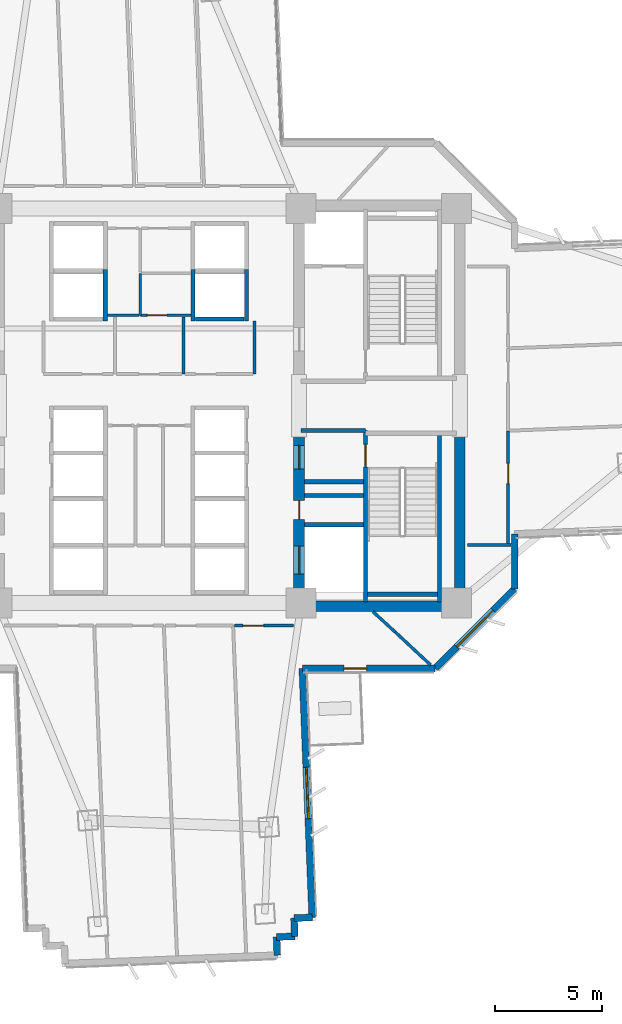
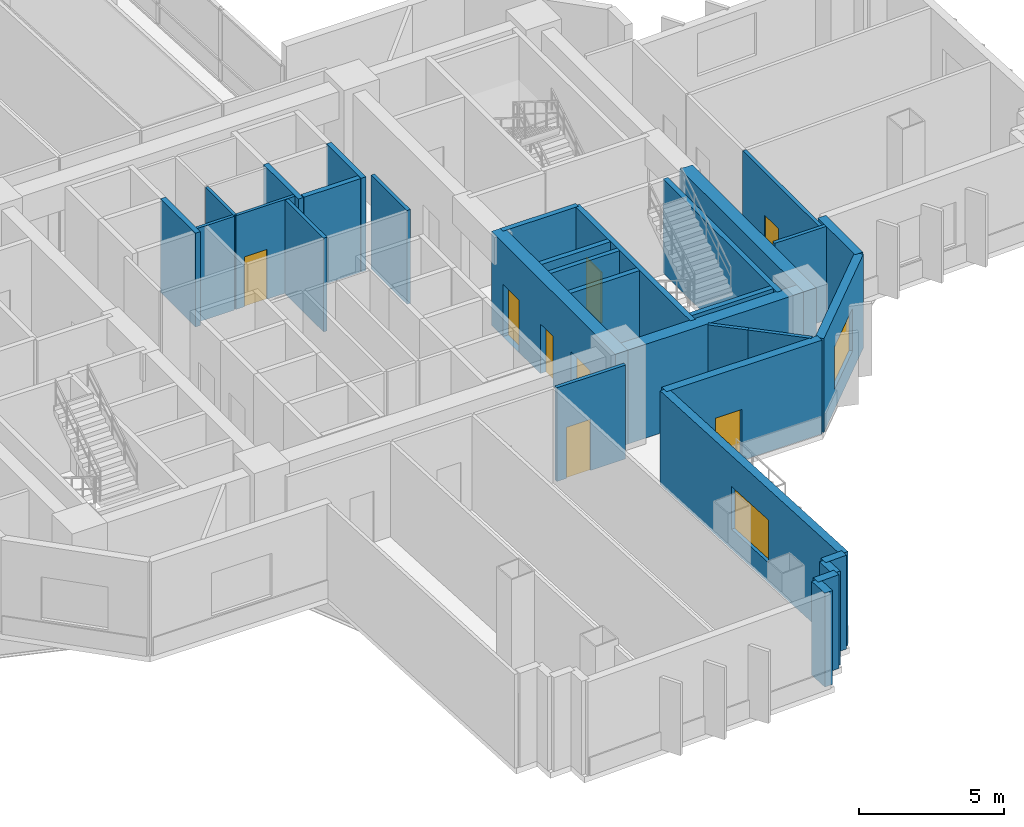
# One storey, part 8 of 16: 32 walls, 8 doors, 2 windows, 10 openings.
"""IFC4 building model written with IfcOpenShell, lengths in metres."""

from ifc_helpers import new_model, si_unit, direction, frame, frame_2d, origin, place, context, subcontext, project, spatial, rectangle, extrude, source, transform, mapped, material, layer, layer_set, type_object, element, fill, save


model = new_model("IFC4")

# Units and contexts
model_context = context("Model", 3, precision=1e-05, world=origin(), true_north=direction((0.0, 1.0)))
body_context = subcontext(model_context, "Body", "Model", "MODEL_VIEW")
ifc_project = project(units=[si_unit("LENGTHUNIT", "METRE"), si_unit("AREAUNIT", "SQUARE_METRE"), si_unit("VOLUMEUNIT", "CUBIC_METRE"), si_unit("PLANEANGLEUNIT", "RADIAN"), si_unit("MASSUNIT", "GRAM", prefix="KILO")], contexts=[model_context])

# Site, building, storey
site_placement = place(None, origin())
site = spatial("IfcSite", under=ifc_project, at=site_placement, CompositionType="ELEMENT")
building_placement = place(site_placement, origin())
building = spatial("IfcBuilding", under=site, at=building_placement, Name="Zahravan Cultural Tower", CompositionType="ELEMENT")
storey_placement = place(building_placement, frame((0.0, 0.0, 54.300048828125)))
storey = spatial("IfcBuildingStorey", under=building, at=storey_placement, Name="L11", CompositionType="ELEMENT", Elevation=54.300048828125)

# Wall, openings, doors
ifc_material_1 = material(Name="Concrete C60/75", Category="concrete")
ifc_layer_1 = layer(ifc_material_1, 0.5)
ifc_layer_set_1 = layer_set([ifc_layer_1], Name="Concrete C60/75")
wall_type_1 = type_object("IfcWallType", Name="CW-SHEAR-500-C60", PredefinedType="SHEAR", material=ifc_layer_set_1)
wall_1_placement = place(storey_placement, frame((43.0, 17.39990234375, 0.0), z_axis=(0.0, 0.0, 1.0), x_axis=(0.0, 1.0, 0.0)))
wall_1 = element("IfcWall", 1, at=wall_1_placement, inside=storey, type_object=wall_type_1, Name="L11 Core Shear Wall CW-E-WS-L11", PredefinedType="SHEAR", context=body_context, shape_type="SweptSolid", body=[
    extrude(rectangle(XDim=8.550048828125, YDim=0.5, at=frame_2d((4.27490234375, 0.0))), origin(), (0.0, 0.0, 1.0), 3.949951171875),
])
opening_1_placement = place(wall_1_placement, frame((6.64990234375, 0.0, 0.0)))
opening_1 = element("IfcOpeningElement", 2, at=opening_1_placement, cuts=wall_1, Name="Opening D-L11-08", PredefinedType="OPENING", context=body_context, shape_type="SweptSolid", body=[
    extrude(rectangle(XDim=1.10009765625, YDim=2.199951171875, at=frame_2d((0.550048828125, 1.10009765625))), frame((0.0, 0.260009765625, 0.0), z_axis=(0.0, -1.0, 0.0), x_axis=(1.0, 0.0, 0.0)), (0.0, 0.0, 1.0), 0.52001953125),
])
opening_2_placement = place(wall_1_placement, frame((1.75, 0.0, 0.0)))
opening_2 = element("IfcOpeningElement", 3, at=opening_2_placement, cuts=wall_1, Name="Opening LD-L11-03", PredefinedType="OPENING", context=body_context, shape_type="SweptSolid", body=[
    extrude(rectangle(XDim=1.300048828125, YDim=2.199951171875, at=frame_2d((0.64990234375, 1.10009765625))), frame((0.0, 0.260009765625, 0.0), z_axis=(0.0, -1.0, 0.0), x_axis=(1.0, 0.0, 0.0)), (0.0, 0.0, 1.0), 0.52001953125),
])
opening_3_placement = place(wall_1_placement, frame((4.300048828125, 0.0, 0.0)))
opening_3 = element("IfcOpeningElement", 4, at=opening_3_placement, cuts=wall_1, Name="Opening D-L11-12", PredefinedType="OPENING", context=body_context, shape_type="SweptSolid", body=[
    extrude(rectangle(XDim=0.8798828125, YDim=2.10009765625, at=frame_2d((0.43994140625, 1.050048828125))), frame((0.0, 0.260009765625, 0.0), z_axis=(0.0, -1.0, 0.0), x_axis=(1.0, 0.0, 0.0)), (0.0, 0.0, 1.0), 0.52001953125),
])
ifc_material_2 = material(Name="Steel ASTM A572 Grade 50", Category="steel")
door_type_1 = type_object("IfcDoorType", Name="DR-LOBBY-1100", OperationType="NOTDEFINED", PredefinedType="DOOR", material=ifc_material_2)
shared_shape_1 = source(origin(), body_context, "Body", "SweptSolid", [
    extrude(rectangle(XDim=1.10009765625, YDim=2.199951171875, at=frame_2d((0.550048828125, 1.10009765625))), frame((0.0, 0.02490234375, 0.0), z_axis=(0.0, -1.0, 0.0), x_axis=(1.0, 0.0, 0.0)), (0.0, 0.0, 1.0), 0.050048828125),
])
door_1_placement = place(opening_1_placement, origin())
door_1 = element("IfcDoor", 5, at=door_1_placement, inside=storey, type_object=door_type_1, Name="L11 Door D-L11-08", OperationType="SINGLE_SWING_RIGHT", OverallHeight=2.199951171875, OverallWidth=1.10009765625, PredefinedType="DOOR", context=body_context, shape_type="MappedRepresentation", body=[
    mapped(shared_shape_1, transform((0.0, 0.0, 0.0), x_axis=(1.0, 0.0, 0.0), y_axis=(0.0, 1.0, 0.0), z_axis=(0.0, 0.0, 1.0), scale=1.0)),
])
fill(opening_1, door_1)
door_type_2 = type_object("IfcDoorType", Name="DR-LIFT-1300", OperationType="DOUBLE_DOOR_SLIDING", PredefinedType="DOOR", material=ifc_material_2)
shared_shape_2 = source(origin(), body_context, "Body", "SweptSolid", [
    extrude(rectangle(XDim=1.300048828125, YDim=2.199951171875, at=frame_2d((0.64990234375, 1.10009765625))), frame((0.0, 0.02490234375, 0.0), z_axis=(0.0, -1.0, 0.0), x_axis=(1.0, 0.0, 0.0)), (0.0, 0.0, 1.0), 0.050048828125),
])
door_2_placement = place(opening_2_placement, origin())
door_2 = element("IfcDoor", 6, at=door_2_placement, inside=storey, type_object=door_type_2, Name="L11 Door LD-L11-03", OperationType="DOUBLE_DOOR_SLIDING", OverallHeight=2.199951171875, OverallWidth=1.300048828125, PredefinedType="DOOR", context=body_context, shape_type="MappedRepresentation", body=[
    mapped(shared_shape_2, transform((0.0, 0.0, 0.0), x_axis=(1.0, 0.0, 0.0), y_axis=(0.0, 1.0, 0.0), z_axis=(0.0, 0.0, 1.0), scale=1.0)),
])
fill(opening_2, door_2)
door_type_3 = type_object("IfcDoorType", Name="DR-SVC-880", OperationType="NOTDEFINED", PredefinedType="DOOR", material=ifc_material_2)
shared_shape_3 = source(origin(), body_context, "Body", "SweptSolid", [
    extrude(rectangle(XDim=0.8798828125, YDim=2.10009765625, at=frame_2d((0.43994140625, 1.050048828125))), frame((0.0, 0.02490234375, 0.0), z_axis=(0.0, -1.0, 0.0), x_axis=(1.0, 0.0, 0.0)), (0.0, 0.0, 1.0), 0.050048828125),
])
door_3_placement = place(opening_3_placement, origin())
door_3 = element("IfcDoor", 7, at=door_3_placement, inside=storey, type_object=door_type_3, Name="L11 Door D-L11-12", OperationType="SINGLE_SWING_RIGHT", OverallHeight=2.10009765625, OverallWidth=0.8798828125, PredefinedType="DOOR", context=body_context, shape_type="MappedRepresentation", body=[
    mapped(shared_shape_3, transform((0.0, 0.0, 0.0), x_axis=(1.0, 0.0, 0.0), y_axis=(0.0, 1.0, 0.0), z_axis=(0.0, 0.0, 1.0), scale=1.0)),
])
fill(opening_3, door_3)

# Wall, opening, window
ifc_material_3 = material(Name="Precast concrete C40/50", Category="concrete")
ifc_layer_2 = layer(ifc_material_3, 0.320068359375)
ifc_layer_set_2 = layer_set([ifc_layer_2], Name="Precast concrete C40/50")
wall_type_2 = type_object("IfcWallType", Name="EW-TC-320", PredefinedType="SOLIDWALL", material=ifc_layer_set_2)
wall_2_placement = place(storey_placement, frame((53.06005859375, 18.4580078125, 0.0), z_axis=(0.0, 0.0, 1.0), x_axis=(-0.707106781187, -0.707106781187, 0.0)))
wall_2 = element("IfcWall", 8, at=wall_2_placement, inside=storey, type_object=wall_type_2, Name="L11 Exterior Masonry Frame Wall 13", PredefinedType="SOLIDWALL", context=body_context, shape_type="SweptSolid", body=[
    extrude(rectangle(XDim=5.258056640625, YDim=0.320068359375, at=frame_2d((2.62890625, 0.0))), origin(), (0.0, 0.0, 1.0), 3.949951171875),
])
opening_4_placement = place(wall_2_placement, frame((1.428955078125, 0.0, 0.85009765625)))
opening_4 = element("IfcOpeningElement", 9, at=opening_4_placement, cuts=wall_2, Name="Opening WN-01", PredefinedType="OPENING", context=body_context, shape_type="SweptSolid", body=[
    extrude(rectangle(XDim=2.39990234375, YDim=1.800048828125, at=frame_2d((1.199951171875, 0.89990234375))), frame((0.0, 0.169921875, 0.0), z_axis=(0.0, -1.0, 0.0), x_axis=(1.0, 0.0, 0.0)), (0.0, 0.0, 1.0), 0.340087890625),
])
ifc_material_4 = material(Name="Low-E solar-control double glazing", Category="glass")
window_type = type_object("IfcWindowType", Name="WN-REC-2400X1800", PartitioningType="DOUBLE_PANEL_VERTICAL", PredefinedType="WINDOW", material=ifc_material_4)
shared_shape_4 = source(origin(), body_context, "Body", "SweptSolid", [
    extrude(rectangle(XDim=2.39990234375, YDim=1.800048828125, at=frame_2d((1.199951171875, 0.89990234375))), frame((0.0, 0.030029296875, 0.0), z_axis=(0.0, -1.0, 0.0), x_axis=(1.0, 0.0, 0.0)), (0.0, 0.0, 1.0), 0.06005859375),
])
window_1_placement = place(opening_4_placement, origin())
window_1 = element("IfcWindow", 10, at=window_1_placement, inside=storey, type_object=window_type, Name="L11 Recessed Solar Window 04", OverallHeight=1.800048828125, OverallWidth=2.39990234375, PartitioningType="DOUBLE_PANEL_VERTICAL", PredefinedType="WINDOW", context=body_context, shape_type="MappedRepresentation", body=[
    mapped(shared_shape_4, transform((0.0, 0.0, 0.0), x_axis=(1.0, 0.0, 0.0), y_axis=(0.0, 1.0, 0.0), z_axis=(0.0, 0.0, 1.0), scale=1.0)),
])
fill(opening_4, window_1)

# Wall, opening, door
wall_3_placement = place(storey_placement, frame((49.342041015625, 14.739990234375, 0.0), z_axis=(0.0, 0.0, 1.0), x_axis=(-1.0, 0.0, 0.0)))
wall_3 = element("IfcWall", 11, at=wall_3_placement, inside=storey, type_object=wall_type_2, Name="L11 Exterior Masonry Frame Wall 14", PredefinedType="SOLIDWALL", context=body_context, shape_type="SweptSolid", body=[
    extrude(rectangle(XDim=6.188720703125, YDim=0.320068359375, at=frame_2d((3.09423828125, 0.0))), origin(), (0.0, 0.0, 1.0), 3.949951171875),
])
opening_5_placement = place(wall_3_placement, frame((3.18603515625, 0.0, 0.0)))
opening_5 = element("IfcOpeningElement", 12, at=opening_5_placement, cuts=wall_3, Name="Opening D-L11-TR-SE", PredefinedType="OPENING", context=body_context, shape_type="SweptSolid", body=[
    extrude(rectangle(XDim=1.050048828125, YDim=2.14990234375, at=frame_2d((0.52490234375, 1.074951171875))), frame((0.0, 0.169921875, 0.0), z_axis=(0.0, -1.0, 0.0), x_axis=(1.0, 0.0, 0.0)), (0.0, 0.0, 1.0), 0.340087890625),
])
ifc_material_5 = material(Name="Anodised bronze-aluminium mullion", Category="aluminium")
door_type_4 = type_object("IfcDoorType", Name="DR-TERR-1050", OperationType="NOTDEFINED", PredefinedType="DOOR", material=ifc_material_5)
shared_shape_5 = source(origin(), body_context, "Body", "SweptSolid", [
    extrude(rectangle(XDim=1.050048828125, YDim=2.14990234375, at=frame_2d((0.52490234375, 1.074951171875))), frame((0.0, 0.02490234375, 0.0), z_axis=(0.0, -1.0, 0.0), x_axis=(1.0, 0.0, 0.0)), (0.0, 0.0, 1.0), 0.050048828125),
])
door_4_placement = place(opening_5_placement, origin())
door_4 = element("IfcDoor", 13, at=door_4_placement, inside=storey, type_object=door_type_4, Name="L11 Terrace Access Door SE", OperationType="SINGLE_SWING_RIGHT", OverallHeight=2.14990234375, OverallWidth=1.050048828125, PredefinedType="DOOR", context=body_context, shape_type="MappedRepresentation", body=[
    mapped(shared_shape_5, transform((0.0, 0.0, 0.0), x_axis=(1.0, 0.0, 0.0), y_axis=(0.0, 1.0, 0.0), z_axis=(0.0, 0.0, 1.0), scale=1.0)),
])
fill(opening_5, door_4)

# Wall, opening, window
wall_4_placement = place(storey_placement, frame((43.1533203125, 14.739990234375, 0.0), z_axis=(0.0, 0.0, 1.0), x_axis=(0.039775975357, -0.999208622753, 0.0)))
wall_4 = element("IfcWall", 14, at=wall_4_placement, inside=storey, type_object=wall_type_2, Name="L11 Exterior Masonry Frame Wall 15", PredefinedType="SOLIDWALL", context=body_context, shape_type="SweptSolid", body=[
    extrude(rectangle(XDim=11.625244140625, YDim=0.320068359375, at=frame_2d((5.8125, 0.0))), origin(), (0.0, 0.0, 1.0), 3.949951171875),
])
opening_6_placement = place(wall_4_placement, frame((4.613037109375, 0.0, 0.85009765625)))
opening_6 = element("IfcOpeningElement", 15, at=opening_6_placement, cuts=wall_4, Name="Opening WN-01", PredefinedType="OPENING", context=body_context, shape_type="SweptSolid", body=[
    extrude(rectangle(XDim=2.39990234375, YDim=1.800048828125, at=frame_2d((1.199951171875, 0.89990234375))), frame((0.0, 0.169921875, 0.0), z_axis=(0.0, -1.0, 0.0), x_axis=(1.0, 0.0, 0.0)), (0.0, 0.0, 1.0), 0.340087890625),
])
window_2_placement = place(opening_6_placement, origin())
window_2 = element("IfcWindow", 16, at=window_2_placement, inside=storey, type_object=window_type, Name="L11 Recessed Solar Window 05", OverallHeight=1.800048828125, OverallWidth=2.39990234375, PartitioningType="DOUBLE_PANEL_VERTICAL", PredefinedType="WINDOW", context=body_context, shape_type="MappedRepresentation", body=[
    mapped(shared_shape_4, transform((0.0, 0.0, 0.0), x_axis=(1.0, 0.0, 0.0), y_axis=(0.0, 1.0, 0.0), z_axis=(0.0, 0.0, 1.0), scale=1.0)),
])
fill(opening_6, window_2)

# Wall, opening, door
ifc_material_6 = material(Name="Gypsum plasterboard partition")
ifc_layer_3 = layer(ifc_material_6, 0.139892578125)
ifc_layer_set_3 = layer_set([ifc_layer_3], Name="Gypsum plasterboard partition")
wall_type_3 = type_object("IfcWallType", Name="W-PART-140", PredefinedType="PARTITIONING", material=ifc_layer_set_3)
wall_5_placement = place(storey_placement, frame((39.996337890625, 16.739990234375, 0.0), z_axis=(0.0, 0.0, 1.0), x_axis=(0.999999996048, 8.8904694e-05, 0.0)))
wall_5 = element("IfcWall", 17, at=wall_5_placement, inside=storey, type_object=wall_type_3, Name="L11 Interior Wall 109", PredefinedType="PARTITIONING", context=body_context, shape_type="SweptSolid", body=[
    extrude(rectangle(XDim=2.74609375, YDim=0.139892578125, at=frame_2d((1.373046875, 0.0))), origin(), (0.0, 0.0, 1.0), 3.949951171875),
])
opening_7_placement = place(wall_5_placement, frame((0.39501953125, 0.0, 0.0)))
opening_7 = element("IfcOpeningElement", 18, at=opening_7_placement, cuts=wall_5, Name="Opening D-L11-34", PredefinedType="OPENING", context=body_context, shape_type="SweptSolid", body=[
    extrude(rectangle(XDim=0.949951171875, YDim=2.14990234375, at=frame_2d((0.47509765625, 1.074951171875))), frame((0.0, 0.079833984375, 0.0), z_axis=(0.0, -1.0, 0.0), x_axis=(1.0, 0.0, 0.0)), (0.0, 0.0, 1.0), 0.159912109375),
])
door_type_5 = type_object("IfcDoorType", Name="DR-ROOM-950", OperationType="NOTDEFINED", PredefinedType="DOOR", material=ifc_material_5)
shared_shape_6 = source(origin(), body_context, "Body", "SweptSolid", [
    extrude(rectangle(XDim=0.949951171875, YDim=2.14990234375, at=frame_2d((0.47509765625, 1.074951171875))), frame((0.0, 0.02490234375, 0.0), z_axis=(0.0, -1.0, 0.0), x_axis=(1.0, 0.0, 0.0)), (0.0, 0.0, 1.0), 0.050048828125),
])
door_5_placement = place(opening_7_placement, origin())
door_5 = element("IfcDoor", 19, at=door_5_placement, inside=storey, type_object=door_type_5, Name="L11 Door D-L11-34", OperationType="SINGLE_SWING_RIGHT", OverallHeight=2.14990234375, OverallWidth=0.949951171875, PredefinedType="DOOR", context=body_context, shape_type="MappedRepresentation", body=[
    mapped(shared_shape_6, transform((0.0, 0.0, 0.0), x_axis=(1.0, 0.0, 0.0), y_axis=(0.0, 1.0, 0.0), z_axis=(0.0, 0.0, 1.0), scale=1.0)),
])
fill(opening_7, door_5)

wall_6_placement = place(storey_placement, frame((52.75, 20.574951171875, 0.0), z_axis=(0.0, 0.0, 1.0), x_axis=(0.0, 1.0, 0.0)))
wall_6 = element("IfcWall", 20, at=wall_6_placement, inside=storey, type_object=wall_type_3, Name="L11 Interior Wall 117", PredefinedType="PARTITIONING", context=body_context, shape_type="SweptSolid", body=[
    extrude(rectangle(XDim=5.240478515625, YDim=0.139892578125, at=frame_2d((2.6201171875, 0.0))), origin(), (0.0, 0.0, 1.0), 3.949951171875),
])
opening_8_placement = place(wall_6_placement, frame((2.788818359375, 0.0, 0.0)))
opening_8 = element("IfcOpeningElement", 21, at=opening_8_placement, cuts=wall_6, Name="Opening D-L11-21", PredefinedType="OPENING", context=body_context, shape_type="SweptSolid", body=[
    extrude(rectangle(XDim=0.949951171875, YDim=2.14990234375, at=frame_2d((0.47509765625, 1.074951171875))), frame((0.0, 0.079833984375, 0.0), z_axis=(0.0, -1.0, 0.0), x_axis=(1.0, 0.0, 0.0)), (0.0, 0.0, 1.0), 0.159912109375),
])
door_6_placement = place(opening_8_placement, origin())
door_6 = element("IfcDoor", 22, at=door_6_placement, inside=storey, type_object=door_type_5, Name="L11 Door D-L11-21", OperationType="SINGLE_SWING_LEFT", OverallHeight=2.14990234375, OverallWidth=0.949951171875, PredefinedType="DOOR", context=body_context, shape_type="MappedRepresentation", body=[
    mapped(shared_shape_6, transform((0.0, 0.0, 0.0), x_axis=(1.0, 0.0, 0.0), y_axis=(0.0, 1.0, 0.0), z_axis=(0.0, 0.0, 1.0), scale=1.0)),
])
fill(opening_8, door_6)

ifc_material_7 = material(Name="Concrete C45/55", Category="concrete")
ifc_layer_4 = layer(ifc_material_7, 0.199951171875)
ifc_layer_set_4 = layer_set([ifc_layer_4], Name="Concrete C45/55")
wall_type_4 = type_object("IfcWallType", Name="W-SHAFT-200", PredefinedType="SOLIDWALL", material=ifc_layer_set_4)
wall_7_placement = place(storey_placement, frame((46.10009765625, 17.85009765625, 0.0), z_axis=(0.0, 0.0, 1.0), x_axis=(0.0, 1.0, 0.0)))
wall_7 = element("IfcWall", 23, at=wall_7_placement, inside=storey, type_object=wall_type_4, Name="L11 Interior Wall 007", PredefinedType="SOLIDWALL", context=body_context, shape_type="SweptSolid", body=[
    extrude(rectangle(XDim=8.0, YDim=0.199951171875, at=frame_2d((4.0, 0.0))), origin(), (0.0, 0.0, 1.0), 3.949951171875),
])
opening_9_placement = place(wall_7_placement, frame((6.300048828125, 0.0, 0.0)))
opening_9 = element("IfcOpeningElement", 24, at=opening_9_placement, cuts=wall_7, Name="Opening D-L11-03", PredefinedType="OPENING", context=body_context, shape_type="SweptSolid", body=[
    extrude(rectangle(XDim=1.050048828125, YDim=2.14990234375, at=frame_2d((0.52490234375, 1.074951171875))), frame((0.0, 0.10986328125, 0.0), z_axis=(0.0, -1.0, 0.0), x_axis=(1.0, 0.0, 0.0)), (0.0, 0.0, 1.0), 0.219970703125),
])
door_type_6 = type_object("IfcDoorType", Name="DR-STAIR-1050", OperationType="NOTDEFINED", PredefinedType="DOOR", material=ifc_material_2)
door_7_placement = place(opening_9_placement, origin())
door_7 = element("IfcDoor", 25, at=door_7_placement, inside=storey, type_object=door_type_6, Name="L11 Door D-L11-03", OperationType="SINGLE_SWING_LEFT", OverallHeight=2.14990234375, OverallWidth=1.050048828125, PredefinedType="DOOR", context=body_context, shape_type="MappedRepresentation", body=[
    mapped(shared_shape_5, transform((0.0, 0.0, 0.0), x_axis=(1.0, 0.0, 0.0), y_axis=(0.0, 1.0, 0.0), z_axis=(0.0, 0.0, 1.0), scale=1.0)),
])
fill(opening_9, door_7)

ifc_layer_5 = layer(ifc_material_6, 0.114990234375)
ifc_layer_set_5 = layer_set([ifc_layer_5], Name="Gypsum plasterboard partition")
wall_type_5 = type_object("IfcWallType", Name="W-WC-115", PredefinedType="PARTITIONING", material=ifc_layer_set_5)
wall_8_placement = place(storey_placement, frame((37.945068359375, 31.219970703125, 0.0), z_axis=(0.0, 0.0, 1.0), x_axis=(-1.0, 0.0, 0.0)))
wall_8 = element("IfcWall", 26, at=wall_8_placement, inside=storey, type_object=wall_type_5, Name="L11 Interior Wall 069", PredefinedType="PARTITIONING", context=body_context, shape_type="SweptSolid", body=[
    extrude(rectangle(XDim=2.35498046875, YDim=0.114990234375, at=frame_2d((1.177490234375, 0.0))), origin(), (0.0, 0.0, 1.0), 3.949951171875),
])
opening_10_placement = place(wall_8_placement, frame((1.120849609375, 0.0, 0.0)))
opening_10 = element("IfcOpeningElement", 27, at=opening_10_placement, cuts=wall_8, Name="Opening D-L11-35", PredefinedType="OPENING", context=body_context, shape_type="SweptSolid", body=[
    extrude(rectangle(XDim=0.89990234375, YDim=2.10009765625, at=frame_2d((0.449951171875, 1.050048828125))), frame((0.0, 0.0673828125, 0.0), z_axis=(0.0, -1.0, 0.0), x_axis=(1.0, 0.0, 0.0)), (0.0, 0.0, 1.0), 0.135009765625),
])
door_type_7 = type_object("IfcDoorType", Name="DR-WC-900", OperationType="NOTDEFINED", PredefinedType="DOOR", material=ifc_material_5)
shared_shape_7 = source(origin(), body_context, "Body", "SweptSolid", [
    extrude(rectangle(XDim=0.89990234375, YDim=2.10009765625, at=frame_2d((0.449951171875, 1.050048828125))), frame((0.0, 0.02490234375, 0.0), z_axis=(0.0, -1.0, 0.0), x_axis=(1.0, 0.0, 0.0)), (0.0, 0.0, 1.0), 0.050048828125),
])
door_8_placement = place(opening_10_placement, origin())
door_8 = element("IfcDoor", 28, at=door_8_placement, inside=storey, type_object=door_type_7, Name="L11 Door D-L11-35", OperationType="SINGLE_SWING_LEFT", OverallHeight=2.10009765625, OverallWidth=0.89990234375, PredefinedType="DOOR", context=body_context, shape_type="MappedRepresentation", body=[
    mapped(shared_shape_7, transform((0.0, 0.0, 0.0), x_axis=(1.0, 0.0, 0.0), y_axis=(0.0, 1.0, 0.0), z_axis=(0.0, 0.0, 1.0), scale=1.0)),
])
fill(opening_10, door_8)

# Walls
shared_shape_8 = source(origin(), body_context, "Body", "SweptSolid", [
    extrude(rectangle(XDim=8.550048828125, YDim=0.5, at=frame_2d((4.27490234375, 0.0))), origin(), (0.0, 0.0, 1.0), 3.949951171875),
])
wall_9_placement = place(storey_placement, frame((50.5, 17.39990234375, 0.0), z_axis=(0.0, 0.0, 1.0), x_axis=(0.0, 1.0, 0.0)))
element("IfcWall", 29, at=wall_9_placement, inside=storey, type_object=wall_type_1, Name="L11 Core Shear Wall CW-E-ES-L11", PredefinedType="SHEAR", context=body_context, shape_type="MappedRepresentation", body=[
    mapped(shared_shape_8, transform((0.0, 0.0, 0.0), x_axis=(1.0, 0.0, 0.0), y_axis=(0.0, 1.0, 0.0), z_axis=(0.0, 0.0, 1.0), scale=1.0)),
])
shared_shape_9 = source(origin(), body_context, "Body", "SweptSolid", [
    extrude(rectangle(XDim=7.0, YDim=0.5, at=frame_2d((3.5, 0.0))), origin(), (0.0, 0.0, 1.0), 3.949951171875),
])
wall_10_placement = place(storey_placement, frame((43.25, 17.64990234375, 0.0), z_axis=(0.0, 0.0, 1.0), x_axis=(1.0, 0.0, 0.0)))
element("IfcWall", 30, at=wall_10_placement, inside=storey, type_object=wall_type_1, Name="L11 Core Shear Wall CW-E-S-L11", PredefinedType="SHEAR", context=body_context, shape_type="MappedRepresentation", body=[
    mapped(shared_shape_9, transform((0.0, 0.0, 0.0), x_axis=(1.0, 0.0, 0.0), y_axis=(0.0, 1.0, 0.0), z_axis=(0.0, 0.0, 1.0), scale=1.0)),
])
shared_shape_10 = source(origin(), body_context, "Body", "SweptSolid", [
    extrude(rectangle(XDim=0.849853515625, YDim=0.320068359375, at=frame_2d((0.4248046875, 0.0))), origin(), (0.0, 0.0, 1.0), 3.949951171875),
])
for number, where, z_axis, x_axis, name in (
    (31, (43.61572265625, 3.1240234375, 0.0), (0.0, 0.0, 1.0), (-0.999202334929, -0.039933618331, 0.0), "L11 Exterior Masonry Frame Wall 16"),
    (32, (42.7666015625, 3.090087890625, 0.0), (0.0, 0.0, 1.0), (0.039646779332, -0.999213757356, 0.0), "L11 Exterior Masonry Frame Wall 17"),
    (33, (41.950927734375, 2.20703125, 0.0), (0.0, 0.0, 1.0), (0.039933618331, -0.999202334929, 0.0), "L11 Exterior Masonry Frame Wall 19"),
):
    element("IfcWall", number, at=place(storey_placement, frame(where, z_axis=z_axis, x_axis=x_axis)), inside=storey, type_object=wall_type_2, Name=name, PredefinedType="SOLIDWALL", context=body_context, shape_type="MappedRepresentation", body=[
        mapped(shared_shape_10, transform((0.0, 0.0, 0.0), x_axis=(1.0, 0.0, 0.0), y_axis=(0.0, 1.0, 0.0), z_axis=(0.0, 0.0, 1.0), scale=1.0)),
    ])
shared_shape_11 = source(origin(), body_context, "Body", "SweptSolid", [
    extrude(rectangle(XDim=0.85009765625, YDim=0.320068359375, at=frame_2d((0.425048828125, 0.0))), origin(), (0.0, 0.0, 1.0), 3.949951171875),
])
wall_11_placement = place(storey_placement, frame((42.80029296875, 2.240966796875, 0.0), z_axis=(0.0, 0.0, 1.0), x_axis=(-0.999202792875, -0.039922158152, 0.0)))
element("IfcWall", 34, at=wall_11_placement, inside=storey, type_object=wall_type_2, Name="L11 Exterior Masonry Frame Wall 18", PredefinedType="SOLIDWALL", context=body_context, shape_type="MappedRepresentation", body=[
    mapped(shared_shape_11, transform((0.0, 0.0, 0.0), x_axis=(1.0, 0.0, 0.0), y_axis=(0.0, 1.0, 0.0), z_axis=(0.0, 0.0, 1.0), scale=1.0)),
])
shared_shape_12 = source(origin(), body_context, "Body", "SweptSolid", [
    extrude(rectangle(XDim=2.555908203125, YDim=0.320068359375, at=frame_2d((1.27783203125, 0.0))), origin(), (0.0, 0.0, 1.0), 3.949951171875),
])
wall_12_placement = place(storey_placement, frame((53.06005859375, 21.013916015625, 0.0), z_axis=(0.0, 0.0, 1.0), x_axis=(0.0, -1.0, 0.0)))
element("IfcWall", 35, at=wall_12_placement, inside=storey, type_object=wall_type_2, Name="L11 Exterior Masonry Frame Wall 12", PredefinedType="SOLIDWALL", context=body_context, shape_type="MappedRepresentation", body=[
    mapped(shared_shape_12, transform((0.0, 0.0, 0.0), x_axis=(1.0, 0.0, 0.0), y_axis=(0.0, 1.0, 0.0), z_axis=(0.0, 0.0, 1.0), scale=1.0)),
])
shared_shape_13 = source(origin(), body_context, "Body", "SweptSolid", [
    extrude(rectangle(XDim=7.869873046875, YDim=0.199951171875, at=frame_2d((3.93505859375, 0.0))), origin(), (0.0, 0.0, 1.0), 3.949951171875),
])
wall_13_placement = place(storey_placement, frame((49.550048828125, 17.85009765625, 0.0), z_axis=(0.0, 0.0, 1.0), x_axis=(0.0, 1.0, 0.0)))
element("IfcWall", 36, at=wall_13_placement, inside=storey, type_object=wall_type_4, Name="L11 Interior Wall 003", PredefinedType="SOLIDWALL", context=body_context, shape_type="MappedRepresentation", body=[
    mapped(shared_shape_13, transform((0.0, 0.0, 0.0), x_axis=(1.0, 0.0, 0.0), y_axis=(0.0, 1.0, 0.0), z_axis=(0.0, 0.0, 1.0), scale=1.0)),
])
shared_shape_14 = source(origin(), body_context, "Body", "SweptSolid", [
    extrude(rectangle(XDim=3.0, YDim=0.199951171875, at=frame_2d((1.5, 0.0))), origin(), (0.0, 0.0, 1.0), 3.949951171875),
])
wall_14_placement = place(storey_placement, frame((43.10009765625, 25.85009765625, 0.0), z_axis=(0.0, 0.0, 1.0), x_axis=(1.0, 0.0, 0.0)))
element("IfcWall", 37, at=wall_14_placement, inside=storey, type_object=wall_type_4, Name="L11 Interior Wall 013", PredefinedType="SOLIDWALL", context=body_context, shape_type="MappedRepresentation", body=[
    mapped(shared_shape_14, transform((0.0, 0.0, 0.0), x_axis=(1.0, 0.0, 0.0), y_axis=(0.0, 1.0, 0.0), z_axis=(0.0, 0.0, 1.0), scale=1.0)),
])
shared_shape_15 = source(origin(), body_context, "Body", "SweptSolid", [
    extrude(rectangle(XDim=3.25, YDim=0.199951171875, at=frame_2d((1.625, 0.0))), origin(), (0.0, 0.0, 1.0), 3.949951171875),
])
wall_15_placement = place(storey_placement, frame((46.199951171875, 18.199951171875, 0.0), z_axis=(0.0, 0.0, 1.0), x_axis=(1.0, 0.0, 0.0)))
element("IfcWall", 38, at=wall_15_placement, inside=storey, type_object=wall_type_4, Name="L11 Interior Wall 020", PredefinedType="SOLIDWALL", context=body_context, shape_type="MappedRepresentation", body=[
    mapped(shared_shape_15, transform((0.0, 0.0, 0.0), x_axis=(1.0, 0.0, 0.0), y_axis=(0.0, 1.0, 0.0), z_axis=(0.0, 0.0, 1.0), scale=1.0)),
])
shared_shape_16 = source(origin(), body_context, "Body", "SweptSolid", [
    extrude(rectangle(XDim=2.75, YDim=0.199951171875, at=frame_2d((1.375, 0.0))), origin(), (0.0, 0.0, 1.0), 3.949951171875),
])
for number, where, z_axis, x_axis, name in (
    (39, (43.25, 23.449951171875, 0.0), (0.0, 0.0, 1.0), (1.0, 0.0, 0.0), "L11 Interior Wall 024"),
    (40, (43.25, 21.449951171875, 0.0), (0.0, 0.0, 1.0), (1.0, 0.0, 0.0), "L11 Interior Wall 025"),
):
    element("IfcWall", number, at=place(storey_placement, frame(where, z_axis=z_axis, x_axis=x_axis)), inside=storey, type_object=wall_type_4, Name=name, PredefinedType="SOLIDWALL", context=body_context, shape_type="MappedRepresentation", body=[
        mapped(shared_shape_16, transform((0.0, 0.0, 0.0), x_axis=(1.0, 0.0, 0.0), y_axis=(0.0, 1.0, 0.0), z_axis=(0.0, 0.0, 1.0), scale=1.0)),
    ])
shared_shape_17 = source(origin(), body_context, "Body", "SweptSolid", [
    extrude(rectangle(XDim=2.400146484375, YDim=0.199951171875, at=frame_2d((1.2001953125, 0.0))), origin(), (0.0, 0.0, 1.0), 3.949951171875),
])
for number, where, z_axis, x_axis, name in (
    (41, (33.949951171875, 30.949951171875, 0.0), (0.0, 0.0, 1.0), (0.0, 1.0, 0.0), "L11 Interior Wall 034"),
    (42, (38.050048828125, 30.949951171875, 0.0), (0.0, 0.0, 1.0), (0.0, 1.0, 0.0), "L11 Interior Wall 040"),
    (43, (40.550048828125, 30.949951171875, 0.0), (0.0, 0.0, 1.0), (0.0, 1.0, 0.0), "L11 Interior Wall 041"),
):
    element("IfcWall", number, at=place(storey_placement, frame(where, z_axis=z_axis, x_axis=x_axis)), inside=storey, type_object=wall_type_4, Name=name, PredefinedType="SOLIDWALL", context=body_context, shape_type="MappedRepresentation", body=[
        mapped(shared_shape_17, transform((0.0, 0.0, 0.0), x_axis=(1.0, 0.0, 0.0), y_axis=(0.0, 1.0, 0.0), z_axis=(0.0, 0.0, 1.0), scale=1.0)),
    ])
shared_shape_18 = source(origin(), body_context, "Body", "SweptSolid", [
    extrude(rectangle(XDim=2.260009765625, YDim=0.199951171875, at=frame_2d((1.1298828125, 0.0))), origin(), (0.0, 0.0, 1.0), 3.949951171875),
])
wall_16_placement = place(storey_placement, frame((38.169921875, 31.050048828125, 0.0), z_axis=(0.0, 0.0, 1.0), x_axis=(1.0, 0.0, 0.0)))
element("IfcWall", 44, at=wall_16_placement, inside=storey, type_object=wall_type_4, Name="L11 Interior Wall 042", PredefinedType="SOLIDWALL", context=body_context, shape_type="MappedRepresentation", body=[
    mapped(shared_shape_18, transform((0.0, 0.0, 0.0), x_axis=(1.0, 0.0, 0.0), y_axis=(0.0, 1.0, 0.0), z_axis=(0.0, 0.0, 1.0), scale=1.0)),
])
shared_shape_19 = source(origin(), body_context, "Body", "SweptSolid", [
    extrude(rectangle(XDim=2.469970703125, YDim=0.139892578125, at=frame_2d((1.23486328125, 0.0))), origin(), (0.0, 0.0, 1.0), 3.949951171875),
])
wall_17_placement = place(storey_placement, frame((40.919921875, 30.949951171875, 0.0), z_axis=(0.0, 0.0, 1.0), x_axis=(0.0, -1.0, 0.0)))
element("IfcWall", 45, at=wall_17_placement, inside=storey, type_object=wall_type_3, Name="L11 Interior Wall 089", PredefinedType="PARTITIONING", context=body_context, shape_type="MappedRepresentation", body=[
    mapped(shared_shape_19, transform((0.0, 0.0, 0.0), x_axis=(1.0, 0.0, 0.0), y_axis=(0.0, 1.0, 0.0), z_axis=(0.0, 0.0, 1.0), scale=1.0)),
])
ifc_layer_6 = layer(ifc_material_6, 0.179931640625)
ifc_layer_set_6 = layer_set([ifc_layer_6], Name="Gypsum plasterboard partition")
wall_type_6 = type_object("IfcWallType", Name="W-COMP-180", PredefinedType="PARTITIONING", material=ifc_layer_set_6)
shared_shape_20 = source(origin(), body_context, "Body", "SweptSolid", [
    extrude(rectangle(XDim=2.75, YDim=0.179931640625, at=frame_2d((1.375, 0.0))), origin(), (0.0, 0.0, 1.0), 3.949951171875),
])
wall_18_placement = place(storey_placement, frame((43.25, 22.820068359375, 0.0), z_axis=(0.0, 0.0, 1.0), x_axis=(1.0, 0.0, 0.0)))
element("IfcWall", 46, at=wall_18_placement, inside=storey, type_object=wall_type_6, Name="L11 Interior Wall 028", PredefinedType="PARTITIONING", context=body_context, shape_type="MappedRepresentation", body=[
    mapped(shared_shape_20, transform((0.0, 0.0, 0.0), x_axis=(1.0, 0.0, 0.0), y_axis=(0.0, 1.0, 0.0), z_axis=(0.0, 0.0, 1.0), scale=1.0)),
])
shared_shape_21 = source(origin(), body_context, "Body", "SweptSolid", [
    extrude(rectangle(XDim=1.9599609375, YDim=0.114990234375, at=frame_2d((0.97998046875, 0.0))), origin(), (0.0, 0.0, 1.0), 3.949951171875),
])
wall_19_placement = place(storey_placement, frame((35.590087890625, 31.219970703125, 0.0), z_axis=(0.0, 0.0, 1.0), x_axis=(0.0, 1.0, 0.0)))
element("IfcWall", 47, at=wall_19_placement, inside=storey, type_object=wall_type_5, Name="L11 Interior Wall 070", PredefinedType="PARTITIONING", context=body_context, shape_type="MappedRepresentation", body=[
    mapped(shared_shape_21, transform((0.0, 0.0, 0.0), x_axis=(1.0, 0.0, 0.0), y_axis=(0.0, 1.0, 0.0), z_axis=(0.0, 0.0, 1.0), scale=1.0)),
])
shared_shape_22 = source(origin(), body_context, "Body", "SweptSolid", [
    extrude(rectangle(XDim=1.47265625, YDim=0.114990234375, at=frame_2d((0.736328125, 0.0))), origin(), (0.0, 0.0, 1.0), 3.949951171875),
])
wall_20_placement = place(storey_placement, frame((35.527587890625, 31.219970703125, 0.0), z_axis=(0.0, 0.0, 1.0), x_axis=(-1.0, 0.0, 0.0)))
element("IfcWall", 48, at=wall_20_placement, inside=storey, type_object=wall_type_5, Name="L11 Interior Wall 074", PredefinedType="PARTITIONING", context=body_context, shape_type="MappedRepresentation", body=[
    mapped(shared_shape_22, transform((0.0, 0.0, 0.0), x_axis=(1.0, 0.0, 0.0), y_axis=(0.0, 1.0, 0.0), z_axis=(0.0, 0.0, 1.0), scale=1.0)),
])
shared_shape_23 = source(origin(), body_context, "Body", "SweptSolid", [
    extrude(rectangle(XDim=2.659912109375, YDim=0.139892578125, at=frame_2d((1.330078125, 0.0))), origin(), (0.0, 0.0, 1.0), 3.949951171875),
])
wall_21_placement = place(storey_placement, frame((37.60009765625, 31.139892578125, 0.0), z_axis=(0.0, 0.0, 1.0), x_axis=(0.0, -1.0, 0.0)))
element("IfcWall", 49, at=wall_21_placement, inside=storey, type_object=wall_type_3, Name="L11 Interior Wall 085", PredefinedType="PARTITIONING", context=body_context, shape_type="MappedRepresentation", body=[
    mapped(shared_shape_23, transform((0.0, 0.0, 0.0), x_axis=(1.0, 0.0, 0.0), y_axis=(0.0, 1.0, 0.0), z_axis=(0.0, 0.0, 1.0), scale=1.0)),
])
shared_shape_24 = source(origin(), body_context, "Body", "SweptSolid", [
    extrude(rectangle(XDim=1.416748046875, YDim=0.139892578125, at=frame_2d((0.70849609375, 0.0))), origin(), (0.0, 0.0, 1.0), 3.949951171875),
])
wall_22_placement = place(storey_placement, frame((46.443359375, 17.39501953125, 0.0), z_axis=(0.0, 0.0, 1.0), x_axis=(0.737776192982, -0.675045397784, 0.0)))
element("IfcWall", 50, at=wall_22_placement, inside=storey, type_object=wall_type_3, Name="L11 Interior Wall 110", PredefinedType="PARTITIONING", context=body_context, shape_type="MappedRepresentation", body=[
    mapped(shared_shape_24, transform((0.0, 0.0, 0.0), x_axis=(1.0, 0.0, 0.0), y_axis=(0.0, 1.0, 0.0), z_axis=(0.0, 0.0, 1.0), scale=1.0)),
])
shared_shape_25 = source(origin(), body_context, "Body", "SweptSolid", [
    extrude(rectangle(XDim=2.24951171875, YDim=0.139892578125, at=frame_2d((1.124755859375, 0.0))), origin(), (0.0, 0.0, 1.0), 3.949951171875),
])
wall_23_placement = place(storey_placement, frame((47.488525390625, 16.438720703125, 0.0), z_axis=(0.0, 0.0, 1.0), x_axis=(0.731524295554, -0.68181537458, 0.0)))
element("IfcWall", 51, at=wall_23_placement, inside=storey, type_object=wall_type_3, Name="L11 Interior Wall 111", PredefinedType="PARTITIONING", context=body_context, shape_type="MappedRepresentation", body=[
    mapped(shared_shape_25, transform((0.0, 0.0, 0.0), x_axis=(1.0, 0.0, 0.0), y_axis=(0.0, 1.0, 0.0), z_axis=(0.0, 0.0, 1.0), scale=1.0)),
])
shared_shape_26 = source(origin(), body_context, "Body", "SweptSolid", [
    extrude(rectangle(XDim=2.04931640625, YDim=0.139892578125, at=frame_2d((1.024658203125, 0.0))), origin(), (0.0, 0.0, 1.0), 3.949951171875),
])
wall_24_placement = place(storey_placement, frame((50.8505859375, 20.50341796875, 0.0), z_axis=(0.0, 0.0, 1.0), x_axis=(0.999998403336, -0.001786987854, 0.0)))
element("IfcWall", 52, at=wall_24_placement, inside=storey, type_object=wall_type_3, Name="L11 Interior Wall 116", PredefinedType="PARTITIONING", context=body_context, shape_type="MappedRepresentation", body=[
    mapped(shared_shape_26, transform((0.0, 0.0, 0.0), x_axis=(1.0, 0.0, 0.0), y_axis=(0.0, 1.0, 0.0), z_axis=(0.0, 0.0, 1.0), scale=1.0)),
])

save(model, "model.ifc")
